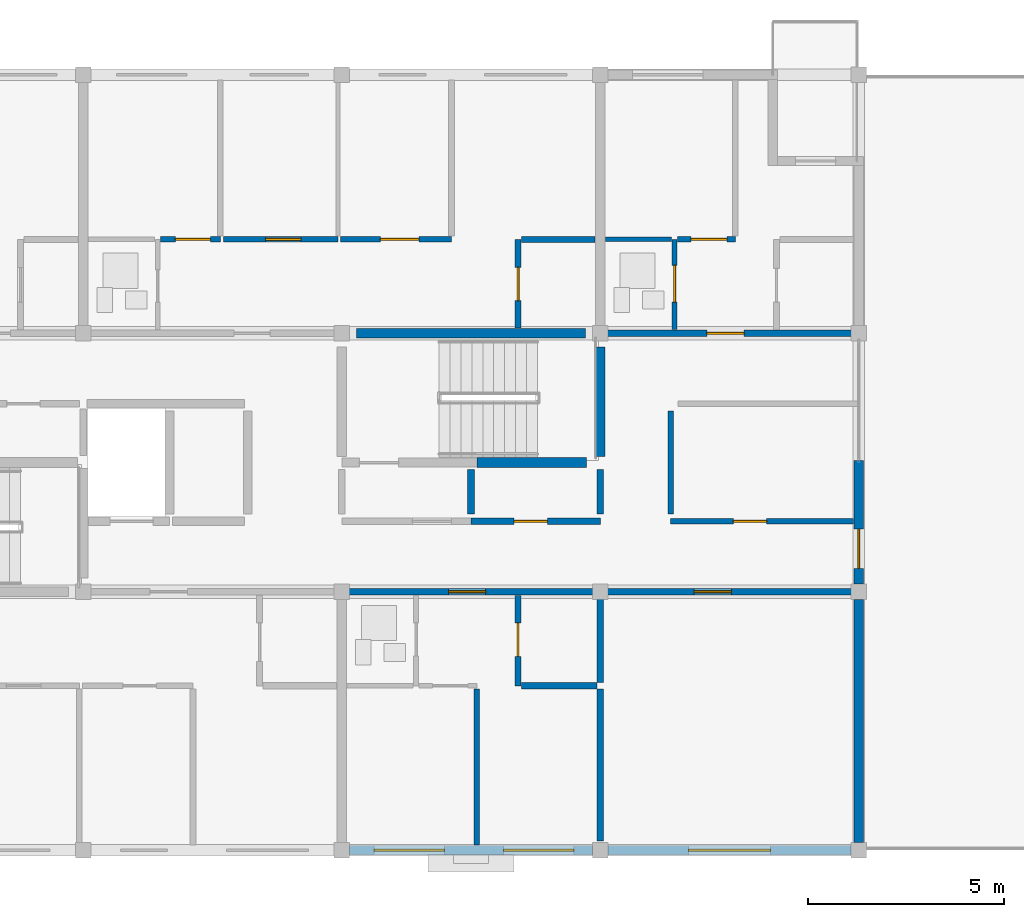
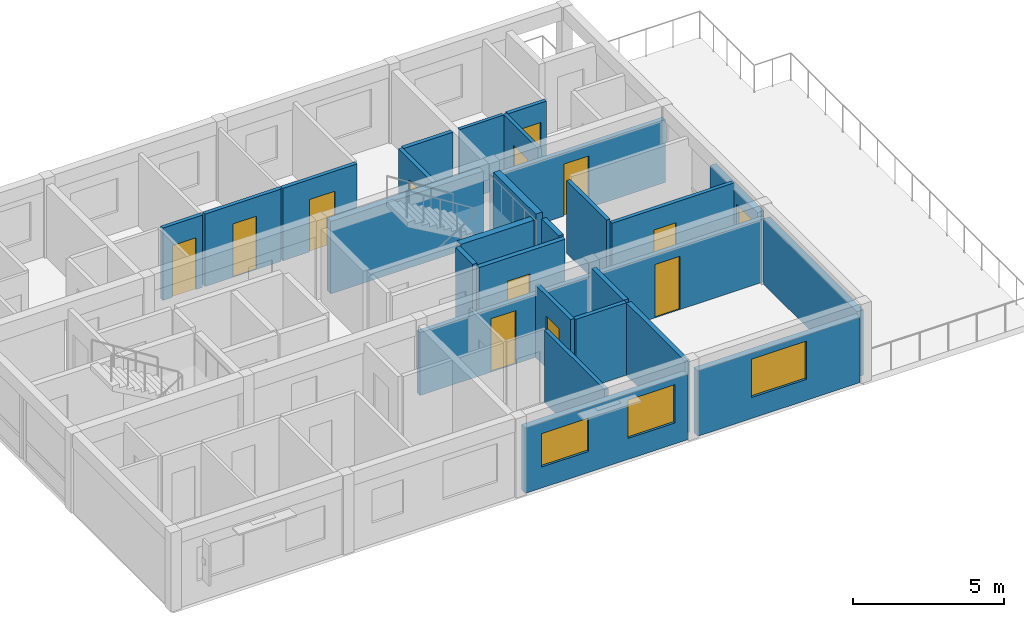
# One storey, part 9 of 12: 28 walls, 13 doors, 3 windows, 16 openings.
"""IFC4 building model written with IfcOpenShell, lengths in metres."""

from ifc_helpers import new_model, si_unit, direction, frame, frame_2d, origin, place, context, subcontext, project, spatial, rectangle, extrude, material, layer, layer_set, type_object, element, fill, save


model = new_model("IFC4")

# Units and contexts
model_context = context("Model", 3, precision=1e-05, world=origin(), true_north=direction((0.0, 1.0)))
body_context = subcontext(model_context, "Body", "Model", "MODEL_VIEW")
ifc_project = project(units=[si_unit("LENGTHUNIT", "METRE"), si_unit("AREAUNIT", "SQUARE_METRE"), si_unit("VOLUMEUNIT", "CUBIC_METRE"), si_unit("PLANEANGLEUNIT", "RADIAN"), si_unit("MASSUNIT", "GRAM", prefix="KILO")], contexts=[model_context])

# Site, building, storey
site_placement = place(None, origin())
site = spatial("IfcSite", under=ifc_project, at=site_placement, CompositionType="ELEMENT")
building_placement = place(site_placement, origin())
building = spatial("IfcBuilding", under=site, at=building_placement, Name="Kernevlak Ridge Housing Community", CompositionType="ELEMENT")
storey_placement = place(building_placement, frame((0.0, 0.0, 56.39990234375)))
storey = spatial("IfcBuildingStorey", under=building, at=storey_placement, Name="L17", CompositionType="ELEMENT", Elevation=56.39990234375)

# Wall, openings, windows
ifc_material_1 = material(Name="Concrete block masonry M10", Category="masonry")
ifc_layer_1 = layer(ifc_material_1, 0.239990234375, Name="Concrete block masonry M10")
ifc_layer_set_1 = layer_set([ifc_layer_1], Name="Concrete block masonry M10")
wall_type_1 = type_object("IfcWallType", Name="EW-06", PredefinedType="STANDARD", material=ifc_layer_set_1)
wall_1_placement = place(storey_placement, frame((29.0, 76.0, 0.0), z_axis=(0.0, 0.0, 1.0), x_axis=(1.0, 0.0, 0.0)))
wall_1 = element("IfcWall", 1, at=wall_1_placement, inside=storey, type_object=wall_type_1, Name="Exterior wall EW-06 L17 271", PredefinedType="STANDARD", context=body_context, shape_type="SweptSolid", body=[
    extrude(rectangle(XDim=6.199951171875, YDim=0.239990234375, at=frame_2d((3.10009765625, 0.0))), origin(), (0.0, 0.0, 1.0), 2.650146484375),
])
opening_1_placement = place(wall_1_placement, frame((0.625, 0.0, 0.85009765625)))
opening_1 = element("IfcOpeningElement", 2, at=opening_1_placement, cuts=wall_1, Name="Opening WT-03", PredefinedType="OPENING", context=body_context, shape_type="SweptSolid", body=[
    extrude(rectangle(XDim=1.800048828125, YDim=1.35009765625, at=frame_2d((0.89990234375, 0.675048828125))), frame((0.0, 0.1298828125, 0.0), z_axis=(0.0, -1.0, 0.0), x_axis=(1.0, 0.0, 0.0)), (0.0, 0.0, 1.0), 0.260009765625),
])
opening_2_placement = place(wall_1_placement, frame((3.925048828125, 0.0, 0.85009765625)))
opening_2 = element("IfcOpeningElement", 3, at=opening_2_placement, cuts=wall_1, Name="Opening WT-04", PredefinedType="OPENING", context=body_context, shape_type="SweptSolid", body=[
    extrude(rectangle(XDim=1.800048828125, YDim=1.550048828125, at=frame_2d((0.89990234375, 0.77490234375))), frame((0.0, 0.1298828125, 0.0), z_axis=(0.0, -1.0, 0.0), x_axis=(1.0, 0.0, 0.0)), (0.0, 0.0, 1.0), 0.260009765625),
])
ifc_material_2 = material(Name="Aluminium EN AW-6060 anodised and laminated glass", Category="aluminium")
window_type_1 = type_object("IfcWindowType", Name="WT-03", PartitioningType="SINGLE_PANEL", PredefinedType="WINDOW", material=ifc_material_2)
window_1_placement = place(opening_1_placement, origin())
window_1 = element("IfcWindow", 4, at=window_1_placement, inside=storey, type_object=window_type_1, Name="Window WT-03 L17 217", OverallHeight=1.35009765625, OverallWidth=1.800048828125, PartitioningType="SINGLE_PANEL", PredefinedType="WINDOW", context=body_context, shape_type="SweptSolid", body=[
    extrude(rectangle(XDim=1.800048828125, YDim=1.35009765625, at=frame_2d((0.89990234375, 0.675048828125))), frame((0.0, 0.030029296875, 0.0), z_axis=(0.0, -1.0, 0.0), x_axis=(1.0, 0.0, 0.0)), (0.0, 0.0, 1.0), 0.06005859375),
])
fill(opening_1, window_1)
window_type_2 = type_object("IfcWindowType", Name="WT-04", PartitioningType="SINGLE_PANEL", PredefinedType="WINDOW", material=ifc_material_2)
window_2_placement = place(opening_2_placement, origin())
window_2 = element("IfcWindow", 5, at=window_2_placement, inside=storey, type_object=window_type_2, Name="Window WT-04 L17 218", OverallHeight=1.550048828125, OverallWidth=1.800048828125, PartitioningType="SINGLE_PANEL", PredefinedType="WINDOW", context=body_context, shape_type="SweptSolid", body=[
    extrude(rectangle(XDim=1.800048828125, YDim=1.550048828125, at=frame_2d((0.89990234375, 0.77490234375))), frame((0.0, 0.030029296875, 0.0), z_axis=(0.0, -1.0, 0.0), x_axis=(1.0, 0.0, 0.0)), (0.0, 0.0, 1.0), 0.06005859375),
])
fill(opening_2, window_2)

# Wall, opening, window
wall_2_placement = place(storey_placement, frame((35.60009765625, 76.0, 0.0), z_axis=(0.0, 0.0, 1.0), x_axis=(1.0, 0.0, 0.0)))
wall_2 = element("IfcWall", 6, at=wall_2_placement, inside=storey, type_object=wall_type_1, Name="Exterior wall EW-06 L17 272", PredefinedType="STANDARD", context=body_context, shape_type="SweptSolid", body=[
    extrude(rectangle(XDim=6.199951171875, YDim=0.239990234375, at=frame_2d((3.10009765625, 0.0))), origin(), (0.0, 0.0, 1.0), 2.650146484375),
])
opening_3_placement = place(wall_2_placement, frame((2.050048828125, 0.0, 0.85009765625)))
opening_3 = element("IfcOpeningElement", 7, at=opening_3_placement, cuts=wall_2, Name="Opening WT-05", PredefinedType="OPENING", context=body_context, shape_type="SweptSolid", body=[
    extrude(rectangle(XDim=2.10009765625, YDim=1.550048828125, at=frame_2d((1.050048828125, 0.77490234375))), frame((0.0, 0.1298828125, 0.0), z_axis=(0.0, -1.0, 0.0), x_axis=(1.0, 0.0, 0.0)), (0.0, 0.0, 1.0), 0.260009765625),
])
window_type_3 = type_object("IfcWindowType", Name="WT-05", PartitioningType="SINGLE_PANEL", PredefinedType="WINDOW", material=ifc_material_2)
window_3_placement = place(opening_3_placement, origin())
window_3 = element("IfcWindow", 8, at=window_3_placement, inside=storey, type_object=window_type_3, Name="Window WT-05 L17 219", OverallHeight=1.550048828125, OverallWidth=2.10009765625, PartitioningType="SINGLE_PANEL", PredefinedType="WINDOW", context=body_context, shape_type="SweptSolid", body=[
    extrude(rectangle(XDim=2.10009765625, YDim=1.550048828125, at=frame_2d((1.050048828125, 0.77490234375))), frame((0.0, 0.030029296875, 0.0), z_axis=(0.0, -1.0, 0.0), x_axis=(1.0, 0.0, 0.0)), (0.0, 0.0, 1.0), 0.06005859375),
])
fill(opening_3, window_3)

# Wall
wall_3_placement = place(storey_placement, frame((42.0, 76.199951171875, 0.0), z_axis=(0.0, 0.0, 1.0), x_axis=(0.0, 1.0, 0.0)))
element("IfcWall", 9, at=wall_3_placement, inside=storey, type_object=wall_type_1, Name="Exterior wall EW-06 L17 281", PredefinedType="STANDARD", context=body_context, shape_type="SweptSolid", body=[
    extrude(rectangle(XDim=6.199951171875, YDim=0.239990234375, at=frame_2d((3.10009765625, 0.0))), origin(), (0.0, 0.0, 1.0), 2.650146484375),
])

# Wall, opening, door
wall_4_placement = place(storey_placement, frame((42.0, 82.800048828125, 0.0), z_axis=(0.0, 0.0, 1.0), x_axis=(0.0, 1.0, 0.0)))
wall_4 = element("IfcWall", 10, at=wall_4_placement, inside=storey, type_object=wall_type_1, Name="Exterior wall EW-06 L17 282", PredefinedType="STANDARD", context=body_context, shape_type="SweptSolid", body=[
    extrude(rectangle(XDim=3.14990234375, YDim=0.239990234375, at=frame_2d((1.574951171875, 0.0))), origin(), (0.0, 0.0, 1.0), 2.650146484375),
])
opening_4_placement = place(wall_4_placement, frame((0.39990234375, 0.0, 0.0)))
opening_4 = element("IfcOpeningElement", 11, at=opening_4_placement, cuts=wall_4, Name="Opening D550", PredefinedType="OPENING", context=body_context, shape_type="SweptSolid", body=[
    extrude(rectangle(XDim=1.0, YDim=2.14990234375, at=frame_2d((0.5, 1.074951171875))), frame((0.0, 0.1298828125, 0.0), z_axis=(0.0, -1.0, 0.0), x_axis=(1.0, 0.0, 0.0)), (0.0, 0.0, 1.0), 0.260009765625),
])
ifc_material_3 = material(Name="Aluminium EN AW-6060 and laminated safety glass", Category="aluminium")
door_type_1 = type_object("IfcDoorType", Name="DT-08", OperationType="NOTDEFINED", PredefinedType="DOOR", material=ifc_material_3)
door_1_placement = place(opening_4_placement, origin())
door_1 = element("IfcDoor", 12, at=door_1_placement, inside=storey, type_object=door_type_1, Name="Block A L17 setback terrace glazed door D550", OperationType="SINGLE_SWING_RIGHT", OverallHeight=2.14990234375, OverallWidth=1.0, PredefinedType="DOOR", context=body_context, shape_type="SweptSolid", body=[
    extrude(rectangle(XDim=1.0, YDim=2.14990234375, at=frame_2d((0.5, 1.074951171875))), frame((0.0, 0.02490234375, 0.0), z_axis=(0.0, -1.0, 0.0), x_axis=(1.0, 0.0, 0.0)), (0.0, 0.0, 1.0), 0.050048828125),
])
fill(opening_4, door_1)

ifc_layer_2 = layer(ifc_material_1, 0.175048828125, Name="Concrete block masonry M10")
ifc_layer_set_2 = layer_set([ifc_layer_2], Name="Concrete block masonry M10")
wall_type_2 = type_object("IfcWallType", Name="PW-02", PredefinedType="PARTITIONING", material=ifc_layer_set_2)
wall_5_placement = place(storey_placement, frame((32.10009765625, 84.39990234375, 0.0), z_axis=(0.0, 0.0, 1.0), x_axis=(1.0, 0.0, 0.0)))
wall_5 = element("IfcWall", 13, at=wall_5_placement, inside=storey, type_object=wall_type_2, Name="Interior wall PW-02 WAL-INT-L17-1083", PredefinedType="PARTITIONING", context=body_context, shape_type="SweptSolid", body=[
    extrude(rectangle(XDim=3.2998046875, YDim=0.175048828125, at=frame_2d((1.64990234375, 0.0))), origin(), (0.0, 0.0, 1.0), 2.93017578125),
])
opening_5_placement = place(wall_5_placement, frame((1.10009765625, 0.0, 0.0)))
opening_5 = element("IfcOpeningElement", 14, at=opening_5_placement, cuts=wall_5, Name="Opening D548", PredefinedType="OPENING", context=body_context, shape_type="SweptSolid", body=[
    extrude(rectangle(XDim=0.85009765625, YDim=2.0, at=frame_2d((0.425048828125, 1.0))), frame((0.0, 0.097412109375, 0.0), z_axis=(0.0, -1.0, 0.0), x_axis=(1.0, 0.0, 0.0)), (0.0, 0.0, 1.0), 0.195068359375),
])
ifc_material_4 = material(Name="Fire-rated sheet steel leaf", Category="steel")
door_type_2 = type_object("IfcDoorType", Name="DT-07", OperationType="NOTDEFINED", PredefinedType="DOOR", material=ifc_material_4)
door_2_placement = place(opening_5_placement, origin())
door_2 = element("IfcDoor", 15, at=door_2_placement, inside=storey, type_object=door_type_2, Name="Block A Cleaner store door D548", OperationType="SINGLE_SWING_RIGHT", OverallHeight=2.0, OverallWidth=0.85009765625, PredefinedType="DOOR", context=body_context, shape_type="SweptSolid", body=[
    extrude(rectangle(XDim=0.85009765625, YDim=2.0, at=frame_2d((0.425048828125, 1.0))), frame((0.0, 0.02490234375, 0.0), z_axis=(0.0, -1.0, 0.0), x_axis=(1.0, 0.0, 0.0)), (0.0, 0.0, 1.0), 0.050048828125),
])
fill(opening_5, door_2)

# Walls
for number, where, z_axis, x_axis, name in (
    (16, (32.10009765625, 84.580078125, 0.0), (0.0, 0.0, 1.0), (0.0, 1.0, 0.0), "Interior wall PW-02 WAL-INT-L17-1085"),
    (17, (35.39990234375, 84.580078125, 0.0), (0.0, 0.0, 1.0), (0.0, 1.0, 0.0), "Interior wall PW-02 WAL-INT-L17-1086"),
):
    element("IfcWall", number, at=place(storey_placement, frame(where, z_axis=z_axis, x_axis=x_axis)), inside=storey, type_object=wall_type_2, Name=name, PredefinedType="PARTITIONING", context=body_context, shape_type="SweptSolid", body=[
        extrude(rectangle(XDim=1.139892578125, YDim=0.175048828125, at=frame_2d((0.56982421875, 0.0))), origin(), (0.0, 0.0, 1.0), 2.93017578125),
    ])

# Wall, opening, door
wall_6_placement = place(storey_placement, frame((28.800048828125, 82.60009765625, 0.0), z_axis=(0.0, 0.0, 1.0), x_axis=(1.0, 0.0, 0.0)))
wall_6 = element("IfcWall", 18, at=wall_6_placement, inside=storey, type_object=wall_type_2, Name="Interior wall PW-02 WAL-INT-L17-1101", PredefinedType="PARTITIONING", context=body_context, shape_type="SweptSolid", body=[
    extrude(rectangle(XDim=6.599853515625, YDim=0.175048828125, at=frame_2d((3.2998046875, 0.0))), origin(), (0.0, 0.0, 1.0), 2.550048828125),
])
opening_6_placement = place(wall_6_placement, frame((2.72509765625, 0.0, 0.0)))
opening_6 = element("IfcOpeningElement", 19, at=opening_6_placement, cuts=wall_6, Name="Opening D557", PredefinedType="OPENING", context=body_context, shape_type="SweptSolid", body=[
    extrude(rectangle(XDim=0.949951171875, YDim=2.159912109375, at=frame_2d((0.47509765625, 1.080078125))), frame((0.0, 0.097412109375, 0.0), z_axis=(0.0, -1.0, 0.0), x_axis=(1.0, 0.0, 0.0)), (0.0, 0.0, 1.0), 0.195068359375),
])
ifc_material_5 = material(Name="Hardwood timber solid-core fire leaf", Category="wood")
door_type_3 = type_object("IfcDoorType", Name="DT-02", OperationType="NOTDEFINED", PredefinedType="DOOR", material=ifc_material_5)
door_3_placement = place(opening_6_placement, origin())
door_3 = element("IfcDoor", 20, at=door_3_placement, inside=storey, type_object=door_type_3, Name="Flat A1712 entrance fire door D557", OperationType="SINGLE_SWING_LEFT", OverallHeight=2.159912109375, OverallWidth=0.949951171875, PredefinedType="DOOR", context=body_context, shape_type="SweptSolid", body=[
    extrude(rectangle(XDim=0.949951171875, YDim=2.159912109375, at=frame_2d((0.47509765625, 1.080078125))), frame((0.0, 0.02490234375, 0.0), z_axis=(0.0, -1.0, 0.0), x_axis=(1.0, 0.0, 0.0)), (0.0, 0.0, 1.0), 0.050048828125),
])
fill(opening_6, door_3)

# Walls
wall_7_placement = place(storey_placement, frame((35.39990234375, 82.419921875, 0.0), z_axis=(0.0, 0.0, 1.0), x_axis=(0.0, -1.0, 0.0)))
element("IfcWall", 21, at=wall_7_placement, inside=storey, type_object=wall_type_2, Name="Interior wall PW-02 WAL-INT-L17-1108", PredefinedType="PARTITIONING", context=body_context, shape_type="SweptSolid", body=[
    extrude(rectangle(XDim=2.13232421875, YDim=0.175048828125, at=frame_2d((1.066162109375, 0.0))), origin(), (0.0, 0.0, 1.0), 2.93017578125),
])
wall_8_placement = place(storey_placement, frame((35.39990234375, 80.112548828125, 0.0), z_axis=(0.0, 0.0, 1.0), x_axis=(0.0, -1.0, 0.0)))
element("IfcWall", 22, at=wall_8_placement, inside=storey, type_object=wall_type_2, Name="Interior wall PW-02 WAL-INT-L17-1108-S2", PredefinedType="PARTITIONING", context=body_context, shape_type="SweptSolid", body=[
    extrude(rectangle(XDim=3.882568359375, YDim=0.175048828125, at=frame_2d((1.94140625, 0.0))), origin(), (0.0, 0.0, 1.0), 2.93017578125),
])

# Wall, opening, door
wall_9_placement = place(storey_placement, frame((35.39990234375, 82.60009765625, 0.0), z_axis=(0.0, 0.0, 1.0), x_axis=(1.0, 0.0, 0.0)))
wall_9 = element("IfcWall", 23, at=wall_9_placement, inside=storey, type_object=wall_type_2, Name="Interior wall PW-02 WAL-INT-L17-1109", PredefinedType="PARTITIONING", context=body_context, shape_type="SweptSolid", body=[
    extrude(rectangle(XDim=6.60009765625, YDim=0.175048828125, at=frame_2d((3.300048828125, 0.0))), origin(), (0.0, 0.0, 1.0), 2.550048828125),
])
opening_7_placement = place(wall_9_placement, frame((2.39990234375, 0.0, 0.0)))
opening_7 = element("IfcOpeningElement", 24, at=opening_7_placement, cuts=wall_9, Name="Opening D561", PredefinedType="OPENING", context=body_context, shape_type="SweptSolid", body=[
    extrude(rectangle(XDim=0.949951171875, YDim=2.159912109375, at=frame_2d((0.47509765625, 1.080078125))), frame((0.0, 0.097412109375, 0.0), z_axis=(0.0, -1.0, 0.0), x_axis=(1.0, 0.0, 0.0)), (0.0, 0.0, 1.0), 0.195068359375),
])
door_4_placement = place(opening_7_placement, origin())
door_4 = element("IfcDoor", 25, at=door_4_placement, inside=storey, type_object=door_type_3, Name="Sky reading room entrance door D561", OperationType="SINGLE_SWING_LEFT", OverallHeight=2.159912109375, OverallWidth=0.949951171875, PredefinedType="DOOR", context=body_context, shape_type="SweptSolid", body=[
    extrude(rectangle(XDim=0.949951171875, YDim=2.159912109375, at=frame_2d((0.47509765625, 1.080078125))), frame((0.0, 0.02490234375, 0.0), z_axis=(0.0, -1.0, 0.0), x_axis=(1.0, 0.0, 0.0)), (0.0, 0.0, 1.0), 0.050048828125),
])
fill(opening_7, door_4)

wall_10_placement = place(storey_placement, frame((35.39990234375, 89.199951171875, 0.0), z_axis=(0.0, 0.0, 1.0), x_axis=(1.0, 0.0, 0.0)))
wall_10 = element("IfcWall", 26, at=wall_10_placement, inside=storey, type_object=wall_type_2, Name="Interior wall PW-02 WAL-INT-L17-1129", PredefinedType="PARTITIONING", context=body_context, shape_type="SweptSolid", body=[
    extrude(rectangle(XDim=6.60009765625, YDim=0.175048828125, at=frame_2d((3.300048828125, 0.0))), origin(), (0.0, 0.0, 1.0), 2.550048828125),
])
opening_8_placement = place(wall_10_placement, frame((2.72509765625, 0.0, 0.0)))
opening_8 = element("IfcOpeningElement", 27, at=opening_8_placement, cuts=wall_10, Name="Opening D572", PredefinedType="OPENING", context=body_context, shape_type="SweptSolid", body=[
    extrude(rectangle(XDim=0.949951171875, YDim=2.10009765625, at=frame_2d((0.47509765625, 1.050048828125))), frame((0.0, 0.097412109375, 0.0), z_axis=(0.0, -1.0, 0.0), x_axis=(1.0, 0.0, 0.0)), (0.0, 0.0, 1.0), 0.195068359375),
])
door_type_4 = type_object("IfcDoorType", Name="DT-01", OperationType="NOTDEFINED", PredefinedType="DOOR", material=ifc_material_5)
door_5_placement = place(opening_8_placement, origin())
door_5 = element("IfcDoor", 28, at=door_5_placement, inside=storey, type_object=door_type_4, Name="Flat A1723 entrance fire door D572", OperationType="SINGLE_SWING_RIGHT", OverallHeight=2.10009765625, OverallWidth=0.949951171875, PredefinedType="DOOR", context=body_context, shape_type="SweptSolid", body=[
    extrude(rectangle(XDim=0.949951171875, YDim=2.10009765625, at=frame_2d((0.47509765625, 1.050048828125))), frame((0.0, 0.02490234375, 0.0), z_axis=(0.0, -1.0, 0.0), x_axis=(1.0, 0.0, 0.0)), (0.0, 0.0, 1.0), 0.050048828125),
])
fill(opening_8, door_5)

ifc_layer_3 = layer(ifc_material_1, 0.14501953125, Name="Concrete block masonry M10")
ifc_layer_set_3 = layer_set([ifc_layer_3], Name="Concrete block masonry M10")
wall_type_3 = type_object("IfcWallType", Name="PW-03", PredefinedType="PARTITIONING", material=ifc_layer_set_3)
wall_11_placement = place(storey_placement, frame((37.199951171875, 84.39990234375, 0.0), z_axis=(0.0, 0.0, 1.0), x_axis=(1.0, 0.0, 0.0)))
wall_11 = element("IfcWall", 29, at=wall_11_placement, inside=storey, type_object=wall_type_3, Name="Interior wall PW-03 WAL-INT-L17-1087", PredefinedType="PARTITIONING", context=body_context, shape_type="SweptSolid", body=[
    extrude(rectangle(XDim=4.670166015625, YDim=0.14501953125, at=frame_2d((2.3349609375, 0.0))), origin(), (0.0, 0.0, 1.0), 2.93017578125),
])
opening_9_placement = place(wall_11_placement, frame((1.60009765625, 0.0, 0.0)))
opening_9 = element("IfcOpeningElement", 30, at=opening_9_placement, cuts=wall_11, Name="Opening D549", PredefinedType="OPENING", context=body_context, shape_type="SweptSolid", body=[
    extrude(rectangle(XDim=0.85009765625, YDim=2.10009765625, at=frame_2d((0.425048828125, 1.050048828125))), frame((0.0, 0.08251953125, 0.0), z_axis=(0.0, -1.0, 0.0), x_axis=(1.0, 0.0, 0.0)), (0.0, 0.0, 1.0), 0.1650390625),
])
ifc_material_6 = material(Name="Hardwood timber leaf", Category="wood")
door_type_5 = type_object("IfcDoorType", Name="DT-03", OperationType="NOTDEFINED", PredefinedType="DOOR", material=ifc_material_6)
door_6_placement = place(opening_9_placement, origin())
door_6 = element("IfcDoor", 31, at=door_6_placement, inside=storey, type_object=door_type_5, Name="Block A Laundry room door D549", OperationType="SINGLE_SWING_LEFT", OverallHeight=2.10009765625, OverallWidth=0.85009765625, PredefinedType="DOOR", context=body_context, shape_type="SweptSolid", body=[
    extrude(rectangle(XDim=0.85009765625, YDim=2.10009765625, at=frame_2d((0.425048828125, 1.050048828125))), frame((0.0, 0.02490234375, 0.0), z_axis=(0.0, -1.0, 0.0), x_axis=(1.0, 0.0, 0.0)), (0.0, 0.0, 1.0), 0.050048828125),
])
fill(opening_9, door_6)

# Walls
wall_12_placement = place(storey_placement, frame((37.199951171875, 84.580078125, 0.0), z_axis=(0.0, 0.0, 1.0), x_axis=(0.0, 1.0, 0.0)))
element("IfcWall", 32, at=wall_12_placement, inside=storey, type_object=wall_type_3, Name="Interior wall PW-03 WAL-INT-L17-1089", PredefinedType="PARTITIONING", context=body_context, shape_type="SweptSolid", body=[
    extrude(rectangle(XDim=2.639892578125, YDim=0.14501953125, at=frame_2d((1.31982421875, 0.0))), origin(), (0.0, 0.0, 1.0), 2.93017578125),
])
wall_13_placement = place(storey_placement, frame((32.25, 80.1201171875, 0.0), z_axis=(0.0, 0.0, 1.0), x_axis=(0.0, -1.0, 0.0)))
element("IfcWall", 33, at=wall_13_placement, inside=storey, type_object=wall_type_3, Name="Interior wall PW-03 WAL-INT-L17-1107", PredefinedType="PARTITIONING", context=body_context, shape_type="SweptSolid", body=[
    extrude(rectangle(XDim=3.990234375, YDim=0.14501953125, at=frame_2d((1.9951171875, 0.0))), origin(), (0.0, 0.0, 1.0), 2.93017578125),
])

# Wall, opening, door
wall_14_placement = place(storey_placement, frame((24.172607421875, 91.60009765625, 0.0), z_axis=(0.0, 0.0, 1.0), x_axis=(1.0, 0.0, 0.0)))
wall_14 = element("IfcWall", 34, at=wall_14_placement, inside=storey, type_object=wall_type_3, Name="Interior wall PW-03 WAL-INT-L17-1123", PredefinedType="PARTITIONING", context=body_context, shape_type="SweptSolid", body=[
    extrude(rectangle(XDim=1.52734375, YDim=0.14501953125, at=frame_2d((0.763671875, 0.0))), origin(), (0.0, 0.0, 1.0), 2.93017578125),
])
opening_10_placement = place(wall_14_placement, frame((0.375, 0.0, 0.0)))
opening_10 = element("IfcOpeningElement", 35, at=opening_10_placement, cuts=wall_14, Name="Opening D569", PredefinedType="OPENING", context=body_context, shape_type="SweptSolid", body=[
    extrude(rectangle(XDim=0.89990234375, YDim=2.10009765625, at=frame_2d((0.449951171875, 1.050048828125))), frame((0.0, 0.08251953125, 0.0), z_axis=(0.0, -1.0, 0.0), x_axis=(1.0, 0.0, 0.0)), (0.0, 0.0, 1.0), 0.1650390625),
])
door_type_6 = type_object("IfcDoorType", Name="DT-21", OperationType="NOTDEFINED", PredefinedType="DOOR", material=ifc_material_6)
door_7_placement = place(opening_10_placement, origin())
door_7 = element("IfcDoor", 36, at=door_7_placement, inside=storey, type_object=door_type_6, Name="Flat A1722 bedroom door D569", OperationType="SINGLE_SWING_LEFT", OverallHeight=2.10009765625, OverallWidth=0.89990234375, PredefinedType="DOOR", context=body_context, shape_type="SweptSolid", body=[
    extrude(rectangle(XDim=0.89990234375, YDim=2.10009765625, at=frame_2d((0.449951171875, 1.050048828125))), frame((0.0, 0.02490234375, 0.0), z_axis=(0.0, -1.0, 0.0), x_axis=(1.0, 0.0, 0.0)), (0.0, 0.0, 1.0), 0.050048828125),
])
fill(opening_10, door_7)

wall_15_placement = place(storey_placement, frame((25.782470703125, 91.60009765625, 0.0), z_axis=(0.0, 0.0, 1.0), x_axis=(1.0, 0.0, 0.0)))
wall_15 = element("IfcWall", 37, at=wall_15_placement, inside=storey, type_object=wall_type_3, Name="Interior wall PW-03 WAL-INT-L17-1125", PredefinedType="PARTITIONING", context=body_context, shape_type="SweptSolid", body=[
    extrude(rectangle(XDim=2.91748046875, YDim=0.14501953125, at=frame_2d((1.458740234375, 0.0))), origin(), (0.0, 0.0, 1.0), 2.93017578125),
])
opening_11_placement = place(wall_15_placement, frame((1.074951171875, 0.0, 0.0)))
opening_11 = element("IfcOpeningElement", 38, at=opening_11_placement, cuts=wall_15, Name="Opening D570", PredefinedType="OPENING", context=body_context, shape_type="SweptSolid", body=[
    extrude(rectangle(XDim=0.89990234375, YDim=2.159912109375, at=frame_2d((0.449951171875, 1.080078125))), frame((0.0, 0.08251953125, 0.0), z_axis=(0.0, -1.0, 0.0), x_axis=(1.0, 0.0, 0.0)), (0.0, 0.0, 1.0), 0.1650390625),
])
door_type_7 = type_object("IfcDoorType", Name="DT-22", OperationType="NOTDEFINED", PredefinedType="DOOR", material=ifc_material_6)
door_8_placement = place(opening_11_placement, origin())
door_8 = element("IfcDoor", 39, at=door_8_placement, inside=storey, type_object=door_type_7, Name="Flat A1722 bedroom door D570", OperationType="SINGLE_SWING_RIGHT", OverallHeight=2.159912109375, OverallWidth=0.89990234375, PredefinedType="DOOR", context=body_context, shape_type="SweptSolid", body=[
    extrude(rectangle(XDim=0.89990234375, YDim=2.159912109375, at=frame_2d((0.449951171875, 1.080078125))), frame((0.0, 0.02490234375, 0.0), z_axis=(0.0, -1.0, 0.0), x_axis=(1.0, 0.0, 0.0)), (0.0, 0.0, 1.0), 0.050048828125),
])
fill(opening_11, door_8)

wall_16_placement = place(storey_placement, frame((28.762451171875, 91.60009765625, 0.0), z_axis=(0.0, 0.0, 1.0), x_axis=(1.0, 0.0, 0.0)))
wall_16 = element("IfcWall", 40, at=wall_16_placement, inside=storey, type_object=wall_type_3, Name="Interior wall PW-03 WAL-INT-L17-1127", PredefinedType="PARTITIONING", context=body_context, shape_type="SweptSolid", body=[
    extrude(rectangle(XDim=2.837646484375, YDim=0.14501953125, at=frame_2d((1.4189453125, 0.0))), origin(), (0.0, 0.0, 1.0), 2.93017578125),
])
opening_12_placement = place(wall_16_placement, frame((1.02490234375, 0.0, 0.0)))
opening_12 = element("IfcOpeningElement", 41, at=opening_12_placement, cuts=wall_16, Name="Opening D571", PredefinedType="OPENING", context=body_context, shape_type="SweptSolid", body=[
    extrude(rectangle(XDim=0.97998046875, YDim=2.1201171875, at=frame_2d((0.489990234375, 1.06005859375))), frame((0.0, 0.08251953125, 0.0), z_axis=(0.0, -1.0, 0.0), x_axis=(1.0, 0.0, 0.0)), (0.0, 0.0, 1.0), 0.1650390625),
])
door_type_8 = type_object("IfcDoorType", Name="DT-24", OperationType="NOTDEFINED", PredefinedType="DOOR", material=ifc_material_6)
door_9_placement = place(opening_12_placement, origin())
door_9 = element("IfcDoor", 42, at=door_9_placement, inside=storey, type_object=door_type_8, Name="Flat A1722 bedroom door D571", OperationType="SINGLE_SWING_LEFT", OverallHeight=2.1201171875, OverallWidth=0.97998046875, PredefinedType="DOOR", context=body_context, shape_type="SweptSolid", body=[
    extrude(rectangle(XDim=0.97998046875, YDim=2.1201171875, at=frame_2d((0.489990234375, 1.06005859375))), frame((0.0, 0.02490234375, 0.0), z_axis=(0.0, -1.0, 0.0), x_axis=(1.0, 0.0, 0.0)), (0.0, 0.0, 1.0), 0.050048828125),
])
fill(opening_12, door_9)

wall_17_placement = place(storey_placement, frame((37.37255859375, 91.60009765625, 0.0), z_axis=(0.0, 0.0, 1.0), x_axis=(1.0, 0.0, 0.0)))
wall_17 = element("IfcWall", 43, at=wall_17_placement, inside=storey, type_object=wall_type_3, Name="Interior wall PW-03 WAL-INT-L17-1134", PredefinedType="PARTITIONING", context=body_context, shape_type="SweptSolid", body=[
    extrude(rectangle(XDim=1.4775390625, YDim=0.14501953125, at=frame_2d((0.73876953125, 0.0))), origin(), (0.0, 0.0, 1.0), 2.93017578125),
])
opening_13_placement = place(wall_17_placement, frame((0.35009765625, 0.0, 0.0)))
opening_13 = element("IfcOpeningElement", 44, at=opening_13_placement, cuts=wall_17, Name="Opening D575", PredefinedType="OPENING", context=body_context, shape_type="SweptSolid", body=[
    extrude(rectangle(XDim=0.909912109375, YDim=2.139892578125, at=frame_2d((0.455078125, 1.06982421875))), frame((0.0, 0.08251953125, 0.0), z_axis=(0.0, -1.0, 0.0), x_axis=(1.0, 0.0, 0.0)), (0.0, 0.0, 1.0), 0.1650390625),
])
door_type_9 = type_object("IfcDoorType", Name="DT-31", OperationType="NOTDEFINED", PredefinedType="DOOR", material=ifc_material_6)
door_10_placement = place(opening_13_placement, origin())
door_10 = element("IfcDoor", 45, at=door_10_placement, inside=storey, type_object=door_type_9, Name="Flat A1723 bedroom door D575", OperationType="SINGLE_SWING_LEFT", OverallHeight=2.139892578125, OverallWidth=0.909912109375, PredefinedType="DOOR", context=body_context, shape_type="SweptSolid", body=[
    extrude(rectangle(XDim=0.909912109375, YDim=2.139892578125, at=frame_2d((0.455078125, 1.06982421875))), frame((0.0, 0.02490234375, 0.0), z_axis=(0.0, -1.0, 0.0), x_axis=(1.0, 0.0, 0.0)), (0.0, 0.0, 1.0), 0.050048828125),
])
fill(opening_13, door_10)

ifc_material_7 = material(Name="Gypsum plasterboard EN 520", Category="gypsum")
ifc_layer_4 = layer(ifc_material_7, 0.125, Name="Gypsum plasterboard EN 520")
ifc_layer_set_4 = layer_set([ifc_layer_4], Name="Gypsum plasterboard EN 520")
wall_type_4 = type_object("IfcWallType", Name="PW-04", PredefinedType="PARTITIONING", material=ifc_layer_set_4)
wall_18_placement = place(storey_placement, frame((37.300048828125, 89.297607421875, 0.0), z_axis=(0.0, 0.0, 1.0), x_axis=(0.0, 1.0, 0.0)))
wall_18 = element("IfcWall", 46, at=wall_18_placement, inside=storey, type_object=wall_type_4, Name="Interior wall PW-04 WAL-INT-L17-1130", PredefinedType="PARTITIONING", context=body_context, shape_type="SweptSolid", body=[
    extrude(rectangle(XDim=2.302490234375, YDim=0.125, at=frame_2d((1.1513671875, 0.0))), origin(), (0.0, 0.0, 1.0), 2.93017578125),
])
opening_14_placement = place(wall_18_placement, frame((0.699951171875, 0.0, 0.0)))
opening_14 = element("IfcOpeningElement", 47, at=opening_14_placement, cuts=wall_18, Name="Opening D573", PredefinedType="OPENING", context=body_context, shape_type="SweptSolid", body=[
    extrude(rectangle(XDim=0.93994140625, YDim=2.080078125, at=frame_2d((0.469970703125, 1.0400390625))), frame((0.0, 0.072509765625, 0.0), z_axis=(0.0, -1.0, 0.0), x_axis=(1.0, 0.0, 0.0)), (0.0, 0.0, 1.0), 0.14501953125),
])
ifc_material_8 = material(Name="Hardwood timber moisture-resistant leaf", Category="wood")
door_type_10 = type_object("IfcDoorType", Name="DT-23", OperationType="NOTDEFINED", PredefinedType="DOOR", material=ifc_material_8)
door_11_placement = place(opening_14_placement, origin())
door_11 = element("IfcDoor", 48, at=door_11_placement, inside=storey, type_object=door_type_10, Name="Flat A1723 bathroom door D573", OperationType="SINGLE_SWING_LEFT", OverallHeight=2.080078125, OverallWidth=0.93994140625, PredefinedType="DOOR", context=body_context, shape_type="SweptSolid", body=[
    extrude(rectangle(XDim=0.93994140625, YDim=2.080078125, at=frame_2d((0.469970703125, 1.0400390625))), frame((0.0, 0.02490234375, 0.0), z_axis=(0.0, -1.0, 0.0), x_axis=(1.0, 0.0, 0.0)), (0.0, 0.0, 1.0), 0.050048828125),
])
fill(opening_14, door_11)

# Wall
wall_19_placement = place(storey_placement, frame((35.534912109375, 91.60009765625, 0.0), z_axis=(0.0, 0.0, 1.0), x_axis=(1.0, 0.0, 0.0)))
element("IfcWall", 49, at=wall_19_placement, inside=storey, type_object=wall_type_4, Name="Interior wall PW-04 WAL-INT-L17-1131", PredefinedType="PARTITIONING", context=body_context, shape_type="SweptSolid", body=[
    extrude(rectangle(XDim=1.68505859375, YDim=0.125, at=frame_2d((0.842529296875, 0.0))), origin(), (0.0, 0.0, 1.0), 2.93017578125),
])

# Wall, opening, door
ifc_layer_5 = layer(ifc_material_7, 0.155029296875, Name="Gypsum plasterboard EN 520")
ifc_layer_set_5 = layer_set([ifc_layer_5], Name="Gypsum plasterboard EN 520")
wall_type_5 = type_object("IfcWallType", Name="PW-05", PredefinedType="PARTITIONING", material=ifc_layer_set_5)
wall_20_placement = place(storey_placement, frame((33.300048828125, 82.50244140625, 0.0), z_axis=(0.0, 0.0, 1.0), x_axis=(0.0, -1.0, 0.0)))
wall_20 = element("IfcWall", 50, at=wall_20_placement, inside=storey, type_object=wall_type_5, Name="Interior wall PW-05 WAL-INT-L17-1104", PredefinedType="PARTITIONING", context=body_context, shape_type="SweptSolid", body=[
    extrude(rectangle(XDim=2.302490234375, YDim=0.155029296875, at=frame_2d((1.1513671875, 0.0))), origin(), (0.0, 0.0, 1.0), 2.93017578125),
])
opening_15_placement = place(wall_20_placement, frame((0.699951171875, 0.0, 0.0)))
opening_15 = element("IfcOpeningElement", 51, at=opening_15_placement, cuts=wall_20, Name="Opening D559", PredefinedType="OPENING", context=body_context, shape_type="SweptSolid", body=[
    extrude(rectangle(XDim=0.85009765625, YDim=2.10009765625, at=frame_2d((0.425048828125, 1.050048828125))), frame((0.0, 0.08740234375, 0.0), z_axis=(0.0, -1.0, 0.0), x_axis=(1.0, 0.0, 0.0)), (0.0, 0.0, 1.0), 0.175048828125),
])
door_12_placement = place(opening_15_placement, origin())
door_12 = element("IfcDoor", 52, at=door_12_placement, inside=storey, type_object=door_type_5, Name="Flat A1712 kitchen door D559", OperationType="SINGLE_SWING_LEFT", OverallHeight=2.10009765625, OverallWidth=0.85009765625, PredefinedType="DOOR", context=body_context, shape_type="SweptSolid", body=[
    extrude(rectangle(XDim=0.85009765625, YDim=2.10009765625, at=frame_2d((0.425048828125, 1.050048828125))), frame((0.0, 0.02490234375, 0.0), z_axis=(0.0, -1.0, 0.0), x_axis=(1.0, 0.0, 0.0)), (0.0, 0.0, 1.0), 0.050048828125),
])
fill(opening_15, door_12)

# Wall
wall_21_placement = place(storey_placement, frame((33.387451171875, 80.199951171875, 0.0), z_axis=(0.0, 0.0, 1.0), x_axis=(1.0, 0.0, 0.0)))
element("IfcWall", 53, at=wall_21_placement, inside=storey, type_object=wall_type_5, Name="Interior wall PW-05 WAL-INT-L17-1105", PredefinedType="PARTITIONING", context=body_context, shape_type="SweptSolid", body=[
    extrude(rectangle(XDim=1.9326171875, YDim=0.155029296875, at=frame_2d((0.96630859375, 0.0))), origin(), (0.0, 0.0, 1.0), 2.93017578125),
])

# Wall, opening, door
wall_22_placement = place(storey_placement, frame((33.300048828125, 89.3349609375, 0.0), z_axis=(0.0, 0.0, 1.0), x_axis=(0.0, 1.0, 0.0)))
wall_22 = element("IfcWall", 54, at=wall_22_placement, inside=storey, type_object=wall_type_5, Name="Interior wall PW-05 WAL-INT-L17-1121", PredefinedType="PARTITIONING", context=body_context, shape_type="SweptSolid", body=[
    extrude(rectangle(XDim=2.26513671875, YDim=0.155029296875, at=frame_2d((1.132568359375, 0.0))), origin(), (0.0, 0.0, 1.0), 2.93017578125),
])
opening_16_placement = place(wall_22_placement, frame((0.699951171875, 0.0, 0.0)))
opening_16 = element("IfcOpeningElement", 55, at=opening_16_placement, cuts=wall_22, Name="Opening D568", PredefinedType="OPENING", context=body_context, shape_type="SweptSolid", body=[
    extrude(rectangle(XDim=0.85009765625, YDim=2.10009765625, at=frame_2d((0.425048828125, 1.050048828125))), frame((0.0, 0.08740234375, 0.0), z_axis=(0.0, -1.0, 0.0), x_axis=(1.0, 0.0, 0.0)), (0.0, 0.0, 1.0), 0.175048828125),
])
door_13_placement = place(opening_16_placement, origin())
door_13 = element("IfcDoor", 56, at=door_13_placement, inside=storey, type_object=door_type_5, Name="Flat A1722 kitchen door D568", OperationType="SINGLE_SWING_RIGHT", OverallHeight=2.10009765625, OverallWidth=0.85009765625, PredefinedType="DOOR", context=body_context, shape_type="SweptSolid", body=[
    extrude(rectangle(XDim=0.85009765625, YDim=2.10009765625, at=frame_2d((0.425048828125, 1.050048828125))), frame((0.0, 0.02490234375, 0.0), z_axis=(0.0, -1.0, 0.0), x_axis=(1.0, 0.0, 0.0)), (0.0, 0.0, 1.0), 0.050048828125),
])
fill(opening_16, door_13)

# Walls
wall_23_placement = place(storey_placement, frame((33.387451171875, 91.60009765625, 0.0), z_axis=(0.0, 0.0, 1.0), x_axis=(1.0, 0.0, 0.0)))
element("IfcWall", 57, at=wall_23_placement, inside=storey, type_object=wall_type_5, Name="Interior wall PW-05 WAL-INT-L17-1122", PredefinedType="PARTITIONING", context=body_context, shape_type="SweptSolid", body=[
    extrude(rectangle(XDim=1.87744140625, YDim=0.155029296875, at=frame_2d((0.938720703125, 0.0))), origin(), (0.0, 0.0, 1.0), 2.93017578125),
])
ifc_material_9 = material(Name="Concrete C40/50", Category="concrete")
ifc_layer_6 = layer(ifc_material_9, 0.25, Name="Concrete C40/50")
ifc_layer_set_6 = layer_set([ifc_layer_6], Name="Concrete C40/50")
wall_type_6 = type_object("IfcWallType", Name="SW-03", PredefinedType="SHEAR", material=ifc_layer_set_6)
wall_24_placement = place(storey_placement, frame((29.179931640625, 89.199951171875, 0.0), z_axis=(0.0, 0.0, 1.0), x_axis=(1.0, 0.0, 0.0)))
element("IfcWall", 58, at=wall_24_placement, inside=storey, type_object=wall_type_6, Name="Shear wall SW-03 Block A L17 184", PredefinedType="SHEAR", context=body_context, shape_type="SweptSolid", body=[
    extrude(rectangle(XDim=5.840087890625, YDim=0.25, at=frame_2d((2.919921875, 0.0))), origin(), (0.0, 0.0, 1.0), 2.93017578125),
])
for number, where, z_axis, x_axis, name in (
    (59, (32.25, 85.89990234375, 0.0), (0.0, 0.0, 1.0), (1.0, 0.0, 0.0), "Shear wall SW-03 Block A L17 185"),
    (60, (35.39990234375, 86.050048828125, 0.0), (0.0, 0.0, 1.0), (0.0, 1.0, 0.0), "Shear wall SW-03 Block A L17 187"),
):
    element("IfcWall", number, at=place(storey_placement, frame(where, z_axis=z_axis, x_axis=x_axis)), inside=storey, type_object=wall_type_6, Name=name, PredefinedType="SHEAR", context=body_context, shape_type="SweptSolid", body=[
        extrude(rectangle(XDim=2.800048828125, YDim=0.25, at=frame_2d((1.39990234375, 0.0))), origin(), (0.0, 0.0, 1.0), 2.93017578125),
    ])

save(model, "model.ifc")
